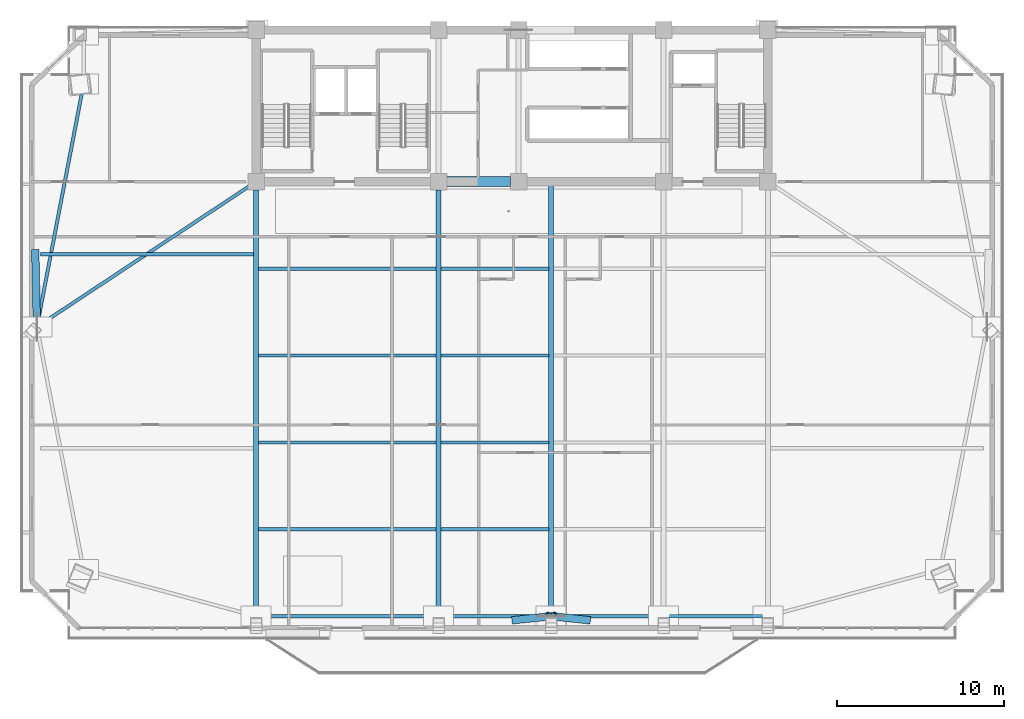
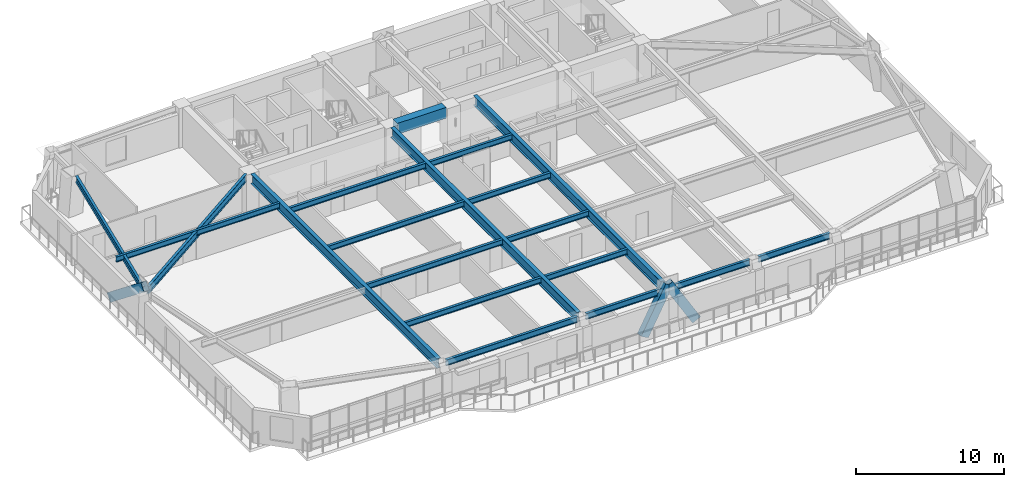
# One storey, part 3 of 16: 19 beams, 3 members.
"""IFC4 building model written with IfcOpenShell, lengths in metres."""

from ifc_helpers import new_model, si_unit, direction, frame, origin, origin_2d, place, context, subcontext, project, spatial, rectangle, hollow_rectangle, i_section, extrude, source, transform, mapped, material, material_profile, profile_set, type_object, element, save


model = new_model("IFC4")

# Units and contexts
model_context = context("Model", 3, precision=1e-05, world=origin(), true_north=direction((0.0, 1.0)))
body_context = subcontext(model_context, "Body", "Model", "MODEL_VIEW")
ifc_project = project(units=[si_unit("LENGTHUNIT", "METRE"), si_unit("AREAUNIT", "SQUARE_METRE"), si_unit("VOLUMEUNIT", "CUBIC_METRE"), si_unit("PLANEANGLEUNIT", "RADIAN"), si_unit("MASSUNIT", "GRAM", prefix="KILO")], contexts=[model_context])

# Site, building, storey
site_placement = place(None, origin())
site = spatial("IfcSite", under=ifc_project, at=site_placement, CompositionType="ELEMENT")
building_placement = place(site_placement, origin())
building = spatial("IfcBuilding", under=site, at=building_placement, Name="Giltprow Tower", CompositionType="ELEMENT")
storey_placement = place(building_placement, frame((0.0, 0.0, 199.199951171875)))
storey = spatial("IfcBuildingStorey", under=building, at=storey_placement, Name="L50", CompositionType="ELEMENT", Elevation=199.199951171875)

# Beams
ifc_material_1 = material(Name="Structural steel Q355B", Category="steel")
ifc_material_profile_1 = material_profile(ifc_material_1, i_section(OverallWidth=0.199951171875, OverallDepth=0.449951171875, WebThickness=0.009033203125, FlangeThickness=0.013916015625, at=origin_2d()), Name="HN 450x200x9x14")
ifc_profile_set_1 = profile_set([ifc_material_profile_1], Name="Structural steel Q355B")
beam_type_1 = type_object("IfcBeamType", Name="BM-JOIST-HN450", PredefinedType="JOIST", material=ifc_profile_set_1)
shared_shape_1 = source(origin(), body_context, "Body", "SweptSolid", [
    extrude(i_section(OverallWidth=0.199951171875, OverallDepth=0.449951171875, WebThickness=0.009033203125, FlangeThickness=0.013916015625, at=origin_2d()), origin(), (0.0, 0.0, 1.0), 10.659912109375),
])
for number, where, z_axis, x_axis, name in (
    (1, (19.9951171875, 16.59912109375, 3.045166015625), (1.0, 0.0, 0.0), (0.0, 1.0, 0.0), "L50 Composite Floor Joist 1-1"),
    (2, (19.9951171875, 21.81201171875, 3.045166015625), (1.0, 0.0, 0.0), (0.0, 1.0, 0.0), "L50 Composite Floor Joist 2-1"),
    (3, (19.9951171875, 27.02392578125, 3.045166015625), (1.0, 0.0, 0.0), (0.0, 1.0, 0.0), "L50 Composite Floor Joist 3-1"),
    (4, (19.9951171875, 32.237060546875, 3.045166015625), (1.0, 0.0, 0.0), (0.0, 1.0, 0.0), "L50 Composite Floor Joist 4-1"),
):
    element("IfcBeam", number, at=place(storey_placement, frame(where, z_axis=z_axis, x_axis=x_axis)), inside=storey, type_object=beam_type_1, Name=name, PredefinedType="JOIST", context=body_context, shape_type="MappedRepresentation", body=[
        mapped(shared_shape_1, transform((0.0, 0.0, 0.0), x_axis=(1.0, 0.0, 0.0), y_axis=(0.0, 1.0, 0.0), z_axis=(0.0, 0.0, 1.0), scale=1.0)),
    ])
shared_shape_2 = source(origin(), body_context, "Body", "SweptSolid", [
    extrude(i_section(OverallWidth=0.199951171875, OverallDepth=0.449951171875, WebThickness=0.009033203125, FlangeThickness=0.013916015625, at=origin_2d()), origin(), (0.0, 0.0, 1.0), 6.4599609375),
])
for number, where, z_axis, x_axis, name in (
    (5, (30.945068359375, 16.59912109375, 3.045166015625), (1.0, 0.0, 0.0), (0.0, 1.0, 0.0), "L50 Composite Floor Joist 1-2"),
    (6, (30.945068359375, 21.81201171875, 3.045166015625), (1.0, 0.0, 0.0), (0.0, 1.0, 0.0), "L50 Composite Floor Joist 2-2"),
    (7, (30.945068359375, 27.02392578125, 3.045166015625), (1.0, 0.0, 0.0), (0.0, 1.0, 0.0), "L50 Composite Floor Joist 3-2"),
    (8, (30.945068359375, 32.237060546875, 3.045166015625), (1.0, 0.0, 0.0), (0.0, 1.0, 0.0), "L50 Composite Floor Joist 4-2"),
):
    element("IfcBeam", number, at=place(storey_placement, frame(where, z_axis=z_axis, x_axis=x_axis)), inside=storey, type_object=beam_type_1, Name=name, PredefinedType="JOIST", context=body_context, shape_type="MappedRepresentation", body=[
        mapped(shared_shape_2, transform((0.0, 0.0, 0.0), x_axis=(1.0, 0.0, 0.0), y_axis=(0.0, 1.0, 0.0), z_axis=(0.0, 0.0, 1.0), scale=1.0)),
    ])
ifc_material_2 = material(Name="Concrete C50", Category="concrete")
ifc_material_profile_2 = material_profile(ifc_material_2, rectangle(XDim=0.60009765625, YDim=0.89990234375, at=origin_2d()), Name="RC 900x600")
ifc_profile_set_2 = profile_set([ifc_material_profile_2], Name="Concrete C50")
beam_type_2 = type_object("IfcBeamType", Name="BM-CPL-RC900", PredefinedType="LINTEL", material=ifc_profile_set_2)
shared_shape_3 = source(origin(), body_context, "Body", "SweptSolid", [
    extrude(rectangle(XDim=0.60009765625, YDim=0.89990234375, at=origin_2d()), origin(), (0.0, 0.0, 1.0), 3.830078125),
])
beam_1_placement = place(storey_placement, frame((31.284912109375, 37.449951171875, 2.820068359375), z_axis=(1.0, 0.0, 0.0), x_axis=(0.0, 1.0, 0.0)))
element("IfcBeam", 9, at=beam_1_placement, inside=storey, type_object=beam_type_2, Name="L50 Core Coupling Beam CB-1", PredefinedType="LINTEL", context=body_context, shape_type="MappedRepresentation", body=[
    mapped(shared_shape_3, transform((0.0, 0.0, 0.0), x_axis=(1.0, 0.0, 0.0), y_axis=(0.0, 1.0, 0.0), z_axis=(0.0, 0.0, 1.0), scale=1.0)),
])
ifc_material_profile_3 = material_profile(ifc_material_1, i_section(OverallWidth=0.199951171875, OverallDepth=0.5, WebThickness=0.010009765625, FlangeThickness=0.01611328125, at=origin_2d()), Name="HN 500x200x10x16")
ifc_profile_set_3 = profile_set([ifc_material_profile_3], Name="Structural steel Q355B")
beam_type_3 = type_object("IfcBeamType", Name="BM-SPAN-HN500", PredefinedType="SPANDREL", material=ifc_profile_set_3)
shared_shape_4 = source(origin(), body_context, "Body", "SweptSolid", [
    extrude(i_section(OverallWidth=0.199951171875, OverallDepth=0.5, WebThickness=0.010009765625, FlangeThickness=0.01611328125, at=origin_2d()), origin(), (0.0, 0.0, 1.0), 10.280029296875),
])
beam_2_placement = place(storey_placement, frame((20.18505859375, 11.385986328125, 3.02001953125), z_axis=(1.0, 0.0, 0.0), x_axis=(0.0, 1.0, 0.0)))
element("IfcBeam", 10, at=beam_2_placement, inside=storey, type_object=beam_type_3, Name="L50 Perimeter Spandrel Beam S1-S2", PredefinedType="SPANDREL", context=body_context, shape_type="MappedRepresentation", body=[
    mapped(shared_shape_4, transform((0.0, 0.0, 0.0), x_axis=(1.0, 0.0, 0.0), y_axis=(0.0, 1.0, 0.0), z_axis=(0.0, 0.0, 1.0), scale=1.0)),
])
shared_shape_5 = source(origin(), body_context, "Body", "SweptSolid", [
    extrude(i_section(OverallWidth=0.199951171875, OverallDepth=0.5, WebThickness=0.010009765625, FlangeThickness=0.01611328125, at=origin_2d()), origin(), (0.0, 0.0, 1.0), 6.080078125),
])
for number, where, z_axis, x_axis, name in (
    (11, (31.135009765625, 11.385986328125, 3.02001953125), (1.0, 0.0, 0.0), (0.0, 1.0, 0.0), "L50 Perimeter Spandrel Beam S2-S_MID"),
    (12, (37.885009765625, 11.385986328125, 3.02001953125), (1.0, 0.0, 0.0), (0.0, 1.0, 0.0), "L50 Perimeter Spandrel Beam S_MID-S3"),
):
    element("IfcBeam", number, at=place(storey_placement, frame(where, z_axis=z_axis, x_axis=x_axis)), inside=storey, type_object=beam_type_3, Name=name, PredefinedType="SPANDREL", context=body_context, shape_type="MappedRepresentation", body=[
        mapped(shared_shape_5, transform((0.0, 0.0, 0.0), x_axis=(1.0, 0.0, 0.0), y_axis=(0.0, 1.0, 0.0), z_axis=(0.0, 0.0, 1.0), scale=1.0)),
    ])
shared_shape_6 = source(origin(), body_context, "Body", "SweptSolid", [
    extrude(i_section(OverallWidth=0.199951171875, OverallDepth=0.5, WebThickness=0.010009765625, FlangeThickness=0.01611328125, at=origin_2d()), origin(), (0.0, 0.0, 1.0), 5.580078125),
])
beam_3_placement = place(storey_placement, frame((44.635009765625, 11.385986328125, 3.02001953125), z_axis=(1.0, 0.0, 0.0), x_axis=(0.0, 1.0, 0.0)))
element("IfcBeam", 13, at=beam_3_placement, inside=storey, type_object=beam_type_3, Name="L50 Perimeter Spandrel Beam S3-S4", PredefinedType="SPANDREL", context=body_context, shape_type="MappedRepresentation", body=[
    mapped(shared_shape_6, transform((0.0, 0.0, 0.0), x_axis=(1.0, 0.0, 0.0), y_axis=(0.0, 1.0, 0.0), z_axis=(0.0, 0.0, 1.0), scale=1.0)),
])
shared_shape_7 = source(origin(), body_context, "Body", "SweptSolid", [
    extrude(i_section(OverallWidth=0.199951171875, OverallDepth=0.5, WebThickness=0.010009765625, FlangeThickness=0.01611328125, at=origin_2d()), origin(), (0.0, 0.0, 1.0), 13.904541015625),
])
beam_4_placement = place(storey_placement, frame((9.39306640625, 42.72607421875, 3.02001953125), z_axis=(-0.18892879803, -0.981990788793, 0.0), x_axis=(0.981990788793, -0.18892879803, 0.0)))
element("IfcBeam", 14, at=beam_4_placement, inside=storey, type_object=beam_type_3, Name="L50 Perimeter Spandrel Beam MC_NW-W_MID", PredefinedType="SPANDREL", context=body_context, shape_type="MappedRepresentation", body=[
    mapped(shared_shape_7, transform((0.0, 0.0, 0.0), x_axis=(1.0, 0.0, 0.0), y_axis=(0.0, 1.0, 0.0), z_axis=(0.0, 0.0, 1.0), scale=1.0)),
])
ifc_material_profile_4 = material_profile(ifc_material_1, i_section(OverallWidth=0.300048828125, OverallDepth=0.800048828125, WebThickness=0.013916015625, FlangeThickness=0.02587890625, at=origin_2d()), Name="HN 800x300x14x26")
ifc_profile_set_4 = profile_set([ifc_material_profile_4], Name="Structural steel Q355B")
beam_type_4 = type_object("IfcBeamType", Name="BM-GIRD-HN800", PredefinedType="BEAM", material=ifc_profile_set_4)
shared_shape_8 = source(origin(), body_context, "Body", "SweptSolid", [
    extrude(i_section(OverallWidth=0.300048828125, OverallDepth=0.800048828125, WebThickness=0.013916015625, FlangeThickness=0.02587890625, at=origin_2d()), origin(), (0.0, 0.0, 1.0), 25.244140625),
])
for number, where, z_axis, x_axis, name in (
    (15, (19.85009765625, 11.720947265625, 2.8701171875), (0.0, 1.0, 0.0), (-1.0, 0.0, 0.0), "L50 Primary Lease Girder S1"),
    (16, (30.800048828125, 11.720947265625, 2.8701171875), (0.0, 1.0, 0.0), (-1.0, 0.0, 0.0), "L50 Primary Lease Girder S2"),
):
    element("IfcBeam", number, at=place(storey_placement, frame(where, z_axis=z_axis, x_axis=x_axis)), inside=storey, type_object=beam_type_4, Name=name, PredefinedType="BEAM", context=body_context, shape_type="MappedRepresentation", body=[
        mapped(shared_shape_8, transform((0.0, 0.0, 0.0), x_axis=(1.0, 0.0, 0.0), y_axis=(0.0, 1.0, 0.0), z_axis=(0.0, 0.0, 1.0), scale=1.0)),
    ])
shared_shape_9 = source(origin(), body_context, "Body", "SweptSolid", [
    extrude(i_section(OverallWidth=0.300048828125, OverallDepth=0.800048828125, WebThickness=0.013916015625, FlangeThickness=0.02587890625, at=origin_2d()), origin(), (0.0, 0.0, 1.0), 26.06396484375),
])
beam_5_placement = place(storey_placement, frame((37.550048828125, 11.385986328125, 2.8701171875), z_axis=(0.0, 1.0, 0.0), x_axis=(-1.0, 0.0, 0.0)))
element("IfcBeam", 17, at=beam_5_placement, inside=storey, type_object=beam_type_4, Name="L50 Central Lease Girder SMID", PredefinedType="BEAM", context=body_context, shape_type="MappedRepresentation", body=[
    mapped(shared_shape_9, transform((0.0, 0.0, 0.0), x_axis=(1.0, 0.0, 0.0), y_axis=(0.0, 1.0, 0.0), z_axis=(0.0, 0.0, 1.0), scale=1.0)),
])
ifc_material_profile_5 = material_profile(ifc_material_1, i_section(OverallWidth=0.199951171875, OverallDepth=0.60009765625, WebThickness=0.010986328125, FlangeThickness=0.01708984375, at=origin_2d()), Name="HN 600x200x11x17")
ifc_profile_set_5 = profile_set([ifc_material_profile_5], Name="Structural steel Q355B")
beam_type_5 = type_object("IfcBeamType", Name="BM-GIRD-HN600", PredefinedType="BEAM", material=ifc_profile_set_5)
shared_shape_10 = source(origin(), body_context, "Body", "SweptSolid", [
    extrude(i_section(OverallWidth=0.199951171875, OverallDepth=0.60009765625, WebThickness=0.010986328125, FlangeThickness=0.01708984375, at=origin_2d()), origin(), (0.0, 0.0, 1.0), 14.94921875),
])
beam_6_placement = place(storey_placement, frame((6.98193359375, 28.927978515625, 2.969970703125), z_axis=(0.833759850503, 0.552127260412, 0.0), x_axis=(-0.552127260412, 0.833759850503, 0.0)))
element("IfcBeam", 18, at=beam_6_placement, inside=storey, type_object=beam_type_5, Name="L50 West Wing Primary Girder", PredefinedType="BEAM", context=body_context, shape_type="MappedRepresentation", body=[
    mapped(shared_shape_10, transform((0.0, 0.0, 0.0), x_axis=(1.0, 0.0, 0.0), y_axis=(0.0, 1.0, 0.0), z_axis=(0.0, 0.0, 1.0), scale=1.0)),
])
shared_shape_11 = source(origin(), body_context, "Body", "SweptSolid", [
    extrude(i_section(OverallWidth=0.199951171875, OverallDepth=0.449951171875, WebThickness=0.009033203125, FlangeThickness=0.013916015625, at=origin_2d()), origin(), (0.0, 0.0, 1.0), 12.781982421875),
])
beam_7_placement = place(storey_placement, frame((6.923095703125, 33.095947265625, 3.045166015625), z_axis=(1.0, 0.0, 0.0), x_axis=(0.0, 1.0, 0.0)))
element("IfcBeam", 19, at=beam_7_placement, inside=storey, type_object=beam_type_1, Name="L50 West Wing Floor Joist 2", PredefinedType="JOIST", context=body_context, shape_type="MappedRepresentation", body=[
    mapped(shared_shape_11, transform((0.0, 0.0, 0.0), x_axis=(1.0, 0.0, 0.0), y_axis=(0.0, 1.0, 0.0), z_axis=(0.0, 0.0, 1.0), scale=1.0)),
])

# Members
ifc_material_3 = material(Name="Structural steel Q420GJC", Category="steel")
ifc_material_profile_6 = material_profile(ifc_material_3, hollow_rectangle(XDim=0.449951171875, YDim=0.699951171875, WallThickness=0.031982421875, at=origin_2d()), Name="RHS 700x450x32")
ifc_profile_set_6 = profile_set([ifc_material_profile_6], Name="Structural steel Q420GJC")
member_type = type_object("IfcMemberType", Name="MBR-MEGA-RHS700", PredefinedType="BRACE", material=ifc_profile_set_6)
shared_shape_12 = source(origin(), body_context, "Body", "SweptSolid", [
    extrude(hollow_rectangle(XDim=0.449951171875, YDim=0.699951171875, WallThickness=0.031982421875, at=origin_2d()), origin(), (0.0, 0.0, 1.0), 4.06396484375),
])
for number, where, z_axis, x_axis, name in (
    (20, (35.49609375, 11.1708984375, 0.0), (0.505419189952, 0.052926935261, 0.86124919852), (-0.104149390986, 0.994561664432, 0.0), "L50 Chevron Mega-Brace S-L"),
    (21, (39.60400390625, 11.1708984375, 0.0), (-0.505419189952, 0.052926935261, 0.86124919852), (-0.104149390986, -0.994561664432, 0.0), "L50 Chevron Mega-Brace S-R"),
):
    element("IfcMember", number, at=place(storey_placement, frame(where, z_axis=z_axis, x_axis=x_axis)), inside=storey, type_object=member_type, Name=name, PredefinedType="BRACE", context=body_context, shape_type="MappedRepresentation", body=[
        mapped(shared_shape_12, transform((0.0, 0.0, 0.0), x_axis=(1.0, 0.0, 0.0), y_axis=(0.0, 1.0, 0.0), z_axis=(0.0, 0.0, 1.0), scale=1.0)),
    ])
shared_shape_13 = source(origin(), body_context, "Body", "SweptSolid", [
    extrude(hollow_rectangle(XDim=0.449951171875, YDim=0.699951171875, WallThickness=0.031982421875, at=origin_2d()), origin(), (0.0, 0.0, 1.0), 5.638916015625),
])
member_placement = place(storey_placement, frame((6.60693359375, 33.1630859375, 0.0), z_axis=(0.017015277139, -0.783871736919, 0.620689600689), x_axis=(0.999764492574, 0.021701598762, 0.0)))
element("IfcMember", 22, at=member_placement, inside=storey, type_object=member_type, Name="L50 Chevron Mega-Brace W-R", PredefinedType="BRACE", context=body_context, shape_type="MappedRepresentation", body=[
    mapped(shared_shape_13, transform((0.0, 0.0, 0.0), x_axis=(1.0, 0.0, 0.0), y_axis=(0.0, 1.0, 0.0), z_axis=(0.0, 0.0, 1.0), scale=1.0)),
])

save(model, "model.ifc")
